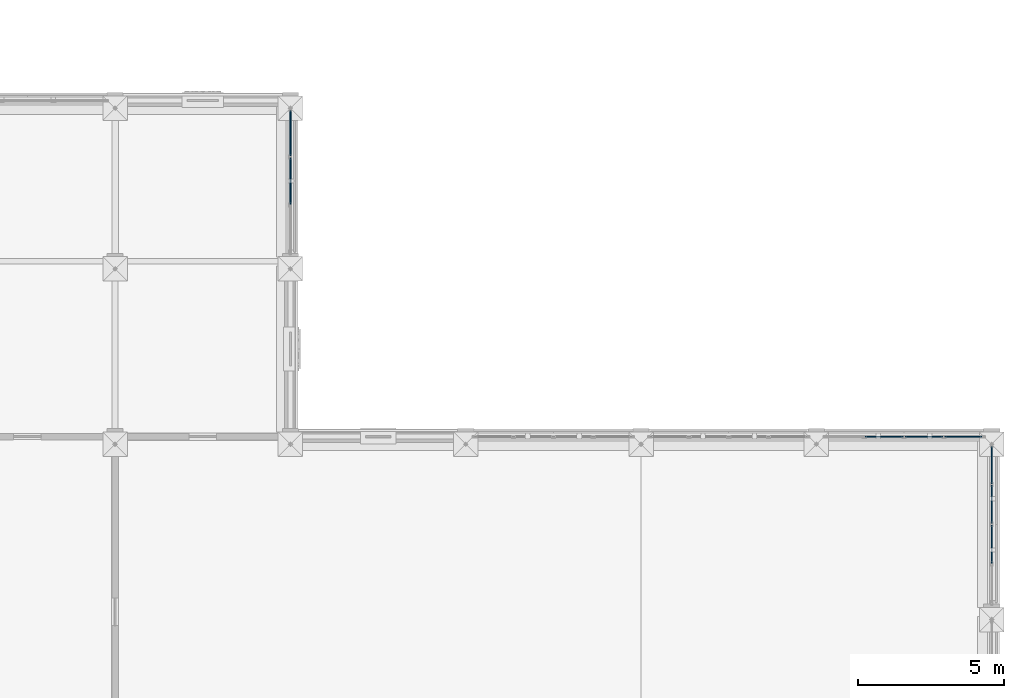
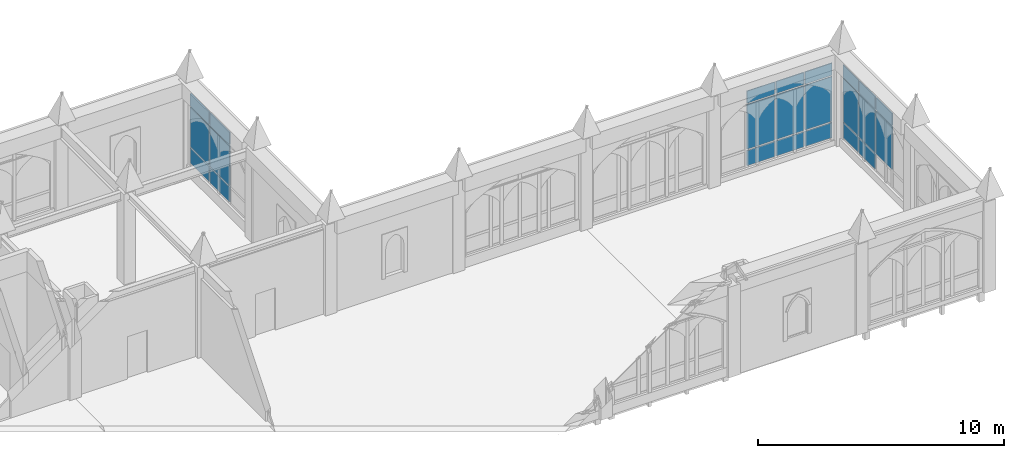
# One storey, part 72 of 108: 23 plates, 3 elements without a shape of their own.
"""IFC4 building model written with IfcOpenShell, lengths in metres."""

import ifcopenshell
import ifcopenshell.guid

model = None  # the IFC model being written
_history = None  # IfcOwnerHistory: only IFC2X3 demands one
_inside = {}  # id of a spatial element -> (the spatial element, [elements in it])
_under = {}  # id of a project, library or spatial element -> (it, [spatial elements below it])
_declared = {}  # id of a project -> (the project, [libraries it declares])
_typed = {}  # id of a type object -> (the type object, [elements of that type])
_made_of = {}  # id of a material, layer set ... -> (it, [elements and type objects made of it])


def new_model(schema):
    """Start an empty IFC model of exactly this schema.

    Asked for "IFC4X3", IfcOpenShell would pick the latest addendum, in which some entities
    have other attributes; the version numbers below select the first issue.
    IFC2X3 requires an IfcOwnerHistory on every rooted entity: one is made here for all.
    """
    global model, _history
    if schema == "IFC4X3":
        model = ifcopenshell.file(schema_version=(4, 3, 0, 0))
    else:
        model = ifcopenshell.file(schema=schema)
    _inside.clear()
    _under.clear()
    _declared.clear()
    _typed.clear()
    _made_of.clear()
    _history = None
    if model.schema == "IFC2X3":
        org = make("IfcOrganization", Name="unknown")
        user = make(
            "IfcPersonAndOrganization",
            ThePerson=make("IfcPerson", FamilyName="unknown"),
            TheOrganization=org,
        )
        app = make(
            "IfcApplication",
            ApplicationDeveloper=org,
            Version="unknown",
            ApplicationFullName="unknown",
            ApplicationIdentifier="unknown",
        )
        _history = make(
            "IfcOwnerHistory",
            OwningUser=user,
            OwningApplication=app,
            ChangeAction="ADDED",
            CreationDate=0,
        )
    return model


def make(cls, **values):
    """One entity of the class cls with the attributes given. An attribute that is None is left unset."""
    return model.create_entity(
        cls, **{name: value for name, value in values.items() if value is not None}
    )


def rooted(cls, **values):
    """An entity with a GlobalId (a new one), such as an element, a storey or a relation."""
    return make(cls, GlobalId=ifcopenshell.guid.new(), OwnerHistory=_history, **values)


def si_unit(unit_type, name, prefix=None):
    """IfcSIUnit, for example si_unit("LENGTHUNIT", "METRE", prefix="MILLI")."""
    return make("IfcSIUnit", UnitType=unit_type, Prefix=prefix, Name=name)


def assignment(units):
    """IfcUnitAssignment: the units of a project."""
    return None if units is None else make("IfcUnitAssignment", Units=units)


def point(xyz):
    """IfcCartesianPoint."""
    return None if xyz is None else make("IfcCartesianPoint", Coordinates=xyz)


def direction(xyz):
    """IfcDirection."""
    return None if xyz is None else make("IfcDirection", DirectionRatios=xyz)


def frame(location, z_axis=None, x_axis=None):
    """IfcAxis2Placement3D, a coordinate frame: its origin and axes. An axis left out is left unset."""
    return make(
        "IfcAxis2Placement3D",
        Location=point(location),
        Axis=direction(z_axis),
        RefDirection=direction(x_axis),
    )


def frame_2d(location, x_axis=None):
    """IfcAxis2Placement2D, a coordinate frame in the plane: its origin and x axis."""
    return make(
        "IfcAxis2Placement2D", Location=point(location), RefDirection=direction(x_axis)
    )


def origin():
    """The frame at (0, 0, 0) with its axes left unset."""
    return frame((0.0, 0.0, 0.0))


def origin_2d():
    """The frame at (0, 0) in the plane with its x axis left unset."""
    return frame_2d((0.0, 0.0))


def place(relative_to, where):
    """IfcLocalPlacement: puts the frame where relative to a parent placement (None: the world)."""
    return make(
        "IfcLocalPlacement", PlacementRelTo=relative_to, RelativePlacement=where
    )


def context(
    kind, dimensions, precision=None, world=None, true_north=None, identifier=None
):
    """IfcGeometricRepresentationContext, for example the 3D "Model" context."""
    return make(
        "IfcGeometricRepresentationContext",
        ContextIdentifier=identifier,
        ContextType=kind,
        CoordinateSpaceDimension=dimensions,
        Precision=precision,
        WorldCoordinateSystem=world,
        TrueNorth=true_north,
    )


def subcontext(parent, identifier, kind, view, scale=None):
    """IfcGeometricRepresentationSubContext, for example "Body" below "Model"."""
    return make(
        "IfcGeometricRepresentationSubContext",
        ContextIdentifier=identifier,
        ContextType=kind,
        ParentContext=parent,
        TargetScale=scale,
        TargetView=view,
    )


def project(units=None, contexts=None):
    """IfcProject with its units and contexts."""
    return rooted(
        "IfcProject",
        Name="project",
        RepresentationContexts=contexts,
        UnitsInContext=assignment(units),
    )


def spatial(cls, under=None, at=None, **own):
    """A site, building, storey or space (cls), placed at a placement, below another one or the project."""
    s = rooted(cls, ObjectPlacement=at, **own)
    if under is not None:
        _under.setdefault(under.id(), (under, []))[1].append(s)
    return s


def profile(cls, at=None, kind="AREA", **sizes):
    """A parametric profile (cls). Its sizes go by their IFC names, for example OverallWidth=200.0."""
    return make(cls, ProfileType=kind, Position=at, **sizes)


def rectangle(**sizes):
    """IfcRectangleProfileDef."""
    return profile("IfcRectangleProfileDef", **sizes)


def extrude(swept, where, along, depth):
    """IfcExtrudedAreaSolid: the profile swept, set in the frame where, extruded along a direction by depth."""
    return make(
        "IfcExtrudedAreaSolid",
        SweptArea=swept,
        Position=where,
        ExtrudedDirection=direction(along),
        Depth=depth,
    )


def shape(context_of_items, identifier, shape_type, items):
    """IfcShapeRepresentation: the items that make up one representation, for example the "Body"."""
    return make(
        "IfcShapeRepresentation",
        ContextOfItems=context_of_items,
        RepresentationIdentifier=identifier,
        RepresentationType=shape_type,
        Items=items,
    )


def material(Name=None, Category=None):
    """IfcMaterial."""
    return make("IfcMaterial", Name=Name, Category=Category)


def layer(
    of_material, thickness, ventilated=None, Name=None, Category=None, Priority=None
):
    """IfcMaterialLayer: one layer of a wall or slab, of a material (None: an air gap)."""
    return make(
        "IfcMaterialLayer",
        Material=of_material,
        LayerThickness=thickness,
        IsVentilated=ventilated,
        Name=Name,
        Category=Category,
        Priority=Priority,
    )


def layer_set(layers, Name=None):
    """IfcMaterialLayerSet."""
    return make("IfcMaterialLayerSet", MaterialLayers=layers, LayerSetName=Name)


def made_of(thing, what):
    """Note that an element or type object is made of a material, layer set ...; save() writes the relation."""
    if what is not None:
        _made_of.setdefault(what.id(), (what, []))[1].append(thing)
    return thing


def type_object(cls, material=None, **own):
    """A type object (cls), such as IfcWallType, which elements share."""
    return made_of(rooted(cls, **own), material)


def element(
    cls,
    number,
    at=None,
    inside=None,
    cuts=None,
    type_object=None,
    material=None,
    context=None,
    identifier="Body",
    shape_type=None,
    held_by="IfcProductDefinitionShape",
    body=None,
    shapes=None,
    **own,
):
    """One element of the class cls, such as IfcWall. Its Tag is "e" and its number.

    at: its placement. inside: the storey or other place that contains it. cuts: it is an
    opening in that element (IfcRelVoidsElement). A single representation is given by context,
    identifier, shape_type and body (its items); several are given by shapes. held_by: the class
    of the entity that holds the representations. save() writes the other relations.
    """
    e = rooted(cls, Tag="e%d" % number, ObjectPlacement=at, **own)
    if body is not None:
        shapes = [shape(context, identifier, shape_type, body)]
    if shapes is not None:
        e.Representation = make(held_by, Representations=shapes)
    if inside is not None:
        _inside.setdefault(inside.id(), (inside, []))[1].append(e)
    if cuts is not None:
        rooted(
            "IfcRelVoidsElement", RelatingBuildingElement=cuts, RelatedOpeningElement=e
        )
    if type_object is not None:
        _typed.setdefault(type_object.id(), (type_object, []))[1].append(e)
    return made_of(e, material)


def aggregate(whole, parts):
    """IfcRelAggregates: a whole, such as a stair, and the parts it consists of."""
    return rooted("IfcRelAggregates", RelatingObject=whole, RelatedObjects=parts)


def save(model, path):
    """Write the relations noted so far, then the file.

    IfcRelAggregates (storeys below a building ...), IfcRelContainedInSpatialStructure (elements
    in a storey), IfcRelDefinesByType, IfcRelAssociatesMaterial and IfcRelDeclares: one each for
    every whole, place, type object, material and project.
    """
    for whole, parts in _under.values():
        aggregate(whole, parts)
    for where, things in _inside.values():
        rooted(
            "IfcRelContainedInSpatialStructure",
            RelatedElements=things,
            RelatingStructure=where,
        )
    for kind, things in _typed.values():
        rooted("IfcRelDefinesByType", RelatedObjects=things, RelatingType=kind)
    for what, things in _made_of.values():
        rooted("IfcRelAssociatesMaterial", RelatedObjects=things, RelatingMaterial=what)
    for by, libraries in _declared.values():
        rooted("IfcRelDeclares", RelatingContext=by, RelatedDefinitions=libraries)
    model.write(path)


model = new_model("IFC4")

# Units and contexts
model_context = context("Model", 3, precision=1e-05, world=origin(), true_north=direction((0.0, 1.0)))
body_context = subcontext(model_context, "Body", "Model", "MODEL_VIEW")
ifc_project = project(units=[si_unit("LENGTHUNIT", "METRE"), si_unit("AREAUNIT", "SQUARE_METRE"), si_unit("VOLUMEUNIT", "CUBIC_METRE"), si_unit("PLANEANGLEUNIT", "RADIAN"), si_unit("MASSUNIT", "GRAM", prefix="KILO")], contexts=[model_context])

# Site, building, storey
site_placement = place(None, origin())
site = spatial("IfcSite", under=ifc_project, at=site_placement, CompositionType="ELEMENT")
building_placement = place(site_placement, origin())
building = spatial("IfcBuilding", under=site, at=building_placement, Name="Cumevento Cable Car Station", CompositionType="ELEMENT")
storey_placement = place(building_placement, frame((0.0, 0.0, 13.5)))
storey = spatial("IfcBuildingStorey", under=building, at=storey_placement, Name="L04", CompositionType="ELEMENT", Elevation=13.5)

# Curtain wall, plates
ifc_material_1 = material(Name="Anodised Bronze Aluminium AW-6063-T6", Category="aluminium")
ifc_layer_1 = layer(ifc_material_1, 0.219970703125)
ifc_layer_set_1 = layer_set([ifc_layer_1], Name="Anodised Bronze Aluminium AW-6063-T6")
curtain_wall_type_1 = type_object("IfcCurtainWallType", Name="Lancet Curtain Wall CW-11 1450", PredefinedType="NOTDEFINED", material=ifc_layer_set_1)
curtain_wall_1_placement = place(storey_placement, origin())
curtain_wall_1 = element("IfcCurtainWall", 1, at=curtain_wall_1_placement, inside=storey, type_object=curtain_wall_type_1, Name="Lancet Curtain Wall CW-11 L04 #186", PredefinedType="NOTDEFINED")
ifc_material_2 = material(Name="Solar Control Laminated Double Glazing", Category="glass")
ifc_layer_2 = layer(ifc_material_2, 0.0380859375)
ifc_layer_set_2 = layer_set([ifc_layer_2], Name="Solar Control Laminated Double Glazing")
plate_type_1 = type_object("IfcPlateType", Name="Glazed Panel CWP-05 38", PredefinedType="CURTAIN_PANEL", material=ifc_layer_set_2)
plate_1_placement = place(storey_placement, frame((162.31884765625, 45.0, 0.324951171875), z_axis=(0.0, 0.0, 1.0), x_axis=(1.0, 0.0, 0.0)))
plate_1 = element("IfcPlate", 2, at=plate_1_placement, type_object=plate_type_1, Name="CW-11 panel 2.1", PredefinedType="CURTAIN_PANEL", context=body_context, shape_type="SweptSolid", body=[
    extrude(rectangle(XDim=1.297607421875, YDim=0.0380859375, at=origin_2d()), origin(), (0.0, 0.0, 1.0), 0.75244140625),
])
plate_2_placement = place(storey_placement, frame((162.31884765625, 45.0, 1.142578125), z_axis=(0.0, 0.0, 1.0), x_axis=(1.0, 0.0, 0.0)))
plate_2 = element("IfcPlate", 3, at=plate_2_placement, type_object=plate_type_1, Name="CW-11 panel 2.2", PredefinedType="CURTAIN_PANEL", context=body_context, shape_type="SweptSolid", body=[
    extrude(rectangle(XDim=1.297607421875, YDim=0.0380859375, at=origin_2d()), origin(), (0.0, 0.0, 1.0), 2.218017578125),
])
plate_3_placement = place(storey_placement, frame((162.31884765625, 45.0, 3.425537109375), z_axis=(0.0, 0.0, 1.0), x_axis=(1.0, 0.0, 0.0)))
plate_3 = element("IfcPlate", 4, at=plate_3_placement, type_object=plate_type_1, Name="CW-11 panel 2.3", PredefinedType="CURTAIN_PANEL", context=body_context, shape_type="SweptSolid", body=[
    extrude(rectangle(XDim=1.297607421875, YDim=0.0380859375, at=origin_2d()), origin(), (0.0, 0.0, 1.0), 0.6025390625),
])
plate_4_placement = place(storey_placement, frame((163.68115234375, 45.0, 0.324951171875), z_axis=(0.0, 0.0, 1.0), x_axis=(1.0, 0.0, 0.0)))
plate_4 = element("IfcPlate", 5, at=plate_4_placement, type_object=plate_type_1, Name="CW-11 panel 3.1", PredefinedType="CURTAIN_PANEL", context=body_context, shape_type="SweptSolid", body=[
    extrude(rectangle(XDim=1.297607421875, YDim=0.0380859375, at=origin_2d()), origin(), (0.0, 0.0, 1.0), 0.75244140625),
])
plate_5_placement = place(storey_placement, frame((163.68115234375, 45.0, 1.142578125), z_axis=(0.0, 0.0, 1.0), x_axis=(1.0, 0.0, 0.0)))
plate_5 = element("IfcPlate", 6, at=plate_5_placement, type_object=plate_type_1, Name="CW-11 panel 3.2", PredefinedType="CURTAIN_PANEL", context=body_context, shape_type="SweptSolid", body=[
    extrude(rectangle(XDim=1.297607421875, YDim=0.0380859375, at=origin_2d()), origin(), (0.0, 0.0, 1.0), 2.218017578125),
])
plate_6_placement = place(storey_placement, frame((163.68115234375, 45.0, 3.425537109375), z_axis=(0.0, 0.0, 1.0), x_axis=(1.0, 0.0, 0.0)))
plate_6 = element("IfcPlate", 7, at=plate_6_placement, type_object=plate_type_1, Name="CW-11 panel 3.3", PredefinedType="CURTAIN_PANEL", context=body_context, shape_type="SweptSolid", body=[
    extrude(rectangle(XDim=1.297607421875, YDim=0.0380859375, at=origin_2d()), origin(), (0.0, 0.0, 1.0), 0.6025390625),
])
plate_7_placement = place(storey_placement, frame((165.027587890625, 45.0, 0.324951171875), z_axis=(0.0, 0.0, 1.0), x_axis=(1.0, 0.0, 0.0)))
plate_7 = element("IfcPlate", 8, at=plate_7_placement, type_object=plate_type_1, Name="CW-11 panel 4.1", PredefinedType="CURTAIN_PANEL", context=body_context, shape_type="SweptSolid", body=[
    extrude(rectangle(XDim=1.264892578125, YDim=0.0380859375, at=origin_2d()), origin(), (0.0, 0.0, 1.0), 0.75244140625),
])
plate_8_placement = place(storey_placement, frame((165.027587890625, 45.0, 1.142578125), z_axis=(0.0, 0.0, 1.0), x_axis=(1.0, 0.0, 0.0)))
plate_8 = element("IfcPlate", 9, at=plate_8_placement, type_object=plate_type_1, Name="CW-11 panel 4.2", PredefinedType="CURTAIN_PANEL", context=body_context, shape_type="SweptSolid", body=[
    extrude(rectangle(XDim=1.264892578125, YDim=0.0380859375, at=origin_2d()), origin(), (0.0, 0.0, 1.0), 2.218017578125),
])
plate_9_placement = place(storey_placement, frame((165.027587890625, 45.0, 3.425537109375), z_axis=(0.0, 0.0, 1.0), x_axis=(1.0, 0.0, 0.0)))
plate_9 = element("IfcPlate", 10, at=plate_9_placement, type_object=plate_type_1, Name="CW-11 panel 4.3", PredefinedType="CURTAIN_PANEL", context=body_context, shape_type="SweptSolid", body=[
    extrude(rectangle(XDim=1.264892578125, YDim=0.0380859375, at=origin_2d()), origin(), (0.0, 0.0, 1.0), 0.6025390625),
])
aggregate(curtain_wall_1, [plate_1, plate_2, plate_3, plate_4, plate_5, plate_6, plate_7, plate_8, plate_9])

ifc_material_3 = material(Name="Anodised Bronze Aluminium AW-6063-T6", Category="aluminium")
ifc_layer_3 = layer(ifc_material_3, 0.23193359375)
ifc_layer_set_3 = layer_set([ifc_layer_3], Name="Anodised Bronze Aluminium AW-6063-T6")
curtain_wall_type_2 = type_object("IfcCurtainWallType", Name="Lancet Curtain Wall CW-13 1530", PredefinedType="NOTDEFINED", material=ifc_layer_set_3)
curtain_wall_2_placement = place(storey_placement, origin())
curtain_wall_2 = element("IfcCurtainWall", 11, at=curtain_wall_2_placement, inside=storey, type_object=curtain_wall_type_2, Name="Lancet Curtain Wall CW-13 L04 #188", PredefinedType="NOTDEFINED")
ifc_material_4 = material(Name="Solar Control Laminated Double Glazing", Category="glass")
ifc_layer_4 = layer(ifc_material_4, 0.0458984375)
ifc_layer_set_4 = layer_set([ifc_layer_4], Name="Solar Control Laminated Double Glazing")
plate_type_2 = type_object("IfcPlateType", Name="Glazed Panel CWP-07 46", PredefinedType="CURTAIN_PANEL", material=ifc_layer_set_4)
plate_10_placement = place(storey_placement, frame((166.0, 44.027587890625, 0.425048828125), z_axis=(0.0, 0.0, 1.0), x_axis=(0.0, -1.0, 0.0)))
plate_10 = element("IfcPlate", 12, at=plate_10_placement, type_object=plate_type_2, Name="CW-13 panel 1.1", PredefinedType="CURTAIN_PANEL", context=body_context, shape_type="SweptSolid", body=[
    extrude(rectangle(XDim=1.264892578125, YDim=0.0458984375, at=origin_2d()), origin(), (0.0, 0.0, 1.0), 0.75244140625),
])
plate_11_placement = place(storey_placement, frame((166.0, 44.027587890625, 1.24267578125), z_axis=(0.0, 0.0, 1.0), x_axis=(0.0, -1.0, 0.0)))
plate_11 = element("IfcPlate", 13, at=plate_11_placement, type_object=plate_type_2, Name="CW-13 panel 1.2", PredefinedType="CURTAIN_PANEL", context=body_context, shape_type="SweptSolid", body=[
    extrude(rectangle(XDim=1.264892578125, YDim=0.0458984375, at=origin_2d()), origin(), (0.0, 0.0, 1.0), 2.117919921875),
])
plate_12_placement = place(storey_placement, frame((166.0, 44.027587890625, 3.425537109375), z_axis=(0.0, 0.0, 1.0), x_axis=(0.0, -1.0, 0.0)))
plate_12 = element("IfcPlate", 14, at=plate_12_placement, type_object=plate_type_2, Name="CW-13 panel 1.3", PredefinedType="CURTAIN_PANEL", context=body_context, shape_type="SweptSolid", body=[
    extrude(rectangle(XDim=1.264892578125, YDim=0.0458984375, at=origin_2d()), origin(), (0.0, 0.0, 1.0), 0.6025390625),
])
plate_13_placement = place(storey_placement, frame((166.0, 42.68115234375, 0.425048828125), z_axis=(0.0, 0.0, 1.0), x_axis=(0.0, -1.0, 0.0)))
plate_13 = element("IfcPlate", 15, at=plate_13_placement, type_object=plate_type_2, Name="CW-13 panel 2.1", PredefinedType="CURTAIN_PANEL", context=body_context, shape_type="SweptSolid", body=[
    extrude(rectangle(XDim=1.297607421875, YDim=0.0458984375, at=origin_2d()), origin(), (0.0, 0.0, 1.0), 0.75244140625),
])
plate_14_placement = place(storey_placement, frame((166.0, 42.68115234375, 1.24267578125), z_axis=(0.0, 0.0, 1.0), x_axis=(0.0, -1.0, 0.0)))
plate_14 = element("IfcPlate", 16, at=plate_14_placement, type_object=plate_type_2, Name="CW-13 panel 2.2", PredefinedType="CURTAIN_PANEL", context=body_context, shape_type="SweptSolid", body=[
    extrude(rectangle(XDim=1.297607421875, YDim=0.0458984375, at=origin_2d()), origin(), (0.0, 0.0, 1.0), 2.117919921875),
])
plate_15_placement = place(storey_placement, frame((166.0, 42.68115234375, 3.425537109375), z_axis=(0.0, 0.0, 1.0), x_axis=(0.0, -1.0, 0.0)))
plate_15 = element("IfcPlate", 17, at=plate_15_placement, type_object=plate_type_2, Name="CW-13 panel 2.3", PredefinedType="CURTAIN_PANEL", context=body_context, shape_type="SweptSolid", body=[
    extrude(rectangle(XDim=1.297607421875, YDim=0.0458984375, at=origin_2d()), origin(), (0.0, 0.0, 1.0), 0.6025390625),
])
plate_16_placement = place(storey_placement, frame((166.0, 41.31884765625, 1.24267578125), z_axis=(0.0, 0.0, 1.0), x_axis=(0.0, -1.0, 0.0)))
plate_16 = element("IfcPlate", 18, at=plate_16_placement, type_object=plate_type_2, Name="CW-13 panel 3.2", PredefinedType="CURTAIN_PANEL", context=body_context, shape_type="SweptSolid", body=[
    extrude(rectangle(XDim=1.297607421875, YDim=0.0458984375, at=origin_2d()), origin(), (0.0, 0.0, 1.0), 2.117919921875),
])
plate_17_placement = place(storey_placement, frame((166.0, 41.31884765625, 3.425537109375), z_axis=(0.0, 0.0, 1.0), x_axis=(0.0, -1.0, 0.0)))
plate_17 = element("IfcPlate", 19, at=plate_17_placement, type_object=plate_type_2, Name="CW-13 panel 3.3", PredefinedType="CURTAIN_PANEL", context=body_context, shape_type="SweptSolid", body=[
    extrude(rectangle(XDim=1.297607421875, YDim=0.0458984375, at=origin_2d()), origin(), (0.0, 0.0, 1.0), 0.6025390625),
])
aggregate(curtain_wall_2, [plate_10, plate_11, plate_12, plate_13, plate_14, plate_15, plate_16, plate_17])

ifc_material_5 = material(Name="Anodised Bronze Aluminium AW-6063-T6", Category="aluminium")
ifc_layer_5 = layer(ifc_material_5, 0.25)
ifc_layer_set_5 = layer_set([ifc_layer_5], Name="Anodised Bronze Aluminium AW-6063-T6")
curtain_wall_type_3 = type_object("IfcCurtainWallType", Name="Lancet Curtain Wall CW-16 1650", PredefinedType="NOTDEFINED", material=ifc_layer_set_5)
curtain_wall_3_placement = place(storey_placement, origin())
curtain_wall_3 = element("IfcCurtainWall", 20, at=curtain_wall_3_placement, inside=storey, type_object=curtain_wall_type_3, Name="Lancet Curtain Wall CW-16 L04 #191", PredefinedType="NOTDEFINED")
ifc_material_6 = material(Name="Insulated Bronze Aluminium Spandrel Panel", Category="aluminium")
ifc_layer_6 = layer(ifc_material_6, 0.06005859375)
ifc_layer_set_6 = layer_set([ifc_layer_6], Name="Insulated Bronze Aluminium Spandrel Panel")
plate_type_3 = type_object("IfcPlateType", Name="Spandrel Panel CWP-10 60", PredefinedType="CURTAIN_PANEL", material=ifc_layer_set_6)
plate_18_placement = place(storey_placement, frame((142.0, 55.3837890625, 0.5849609375), z_axis=(0.0, 0.0, 1.0), x_axis=(0.0, -1.0, 0.0)))
plate_18 = element("IfcPlate", 21, at=plate_18_placement, type_object=plate_type_3, Name="CW-16 panel 1.1", PredefinedType="CURTAIN_PANEL", context=body_context, shape_type="SweptSolid", body=[
    extrude(rectangle(XDim=1.552490234375, YDim=0.06005859375, at=origin_2d()), origin(), (0.0, 0.0, 1.0), 0.75244140625),
])
plate_19_placement = place(storey_placement, frame((142.0, 55.3837890625, 1.402587890625), z_axis=(0.0, 0.0, 1.0), x_axis=(0.0, -1.0, 0.0)))
plate_19 = element("IfcPlate", 22, at=plate_19_placement, type_object=plate_type_3, Name="CW-16 panel 1.2", PredefinedType="CURTAIN_PANEL", context=body_context, shape_type="SweptSolid", body=[
    extrude(rectangle(XDim=1.552490234375, YDim=0.06005859375, at=origin_2d()), origin(), (0.0, 0.0, 1.0), 1.9580078125),
])
plate_20_placement = place(storey_placement, frame((142.0, 55.3837890625, 3.425537109375), z_axis=(0.0, 0.0, 1.0), x_axis=(0.0, -1.0, 0.0)))
plate_20 = element("IfcPlate", 23, at=plate_20_placement, type_object=plate_type_3, Name="CW-16 panel 1.3", PredefinedType="CURTAIN_PANEL", context=body_context, shape_type="SweptSolid", body=[
    extrude(rectangle(XDim=1.552490234375, YDim=0.06005859375, at=origin_2d()), origin(), (0.0, 0.0, 1.0), 0.6025390625),
])
plate_21_placement = place(storey_placement, frame((142.0, 53.75, 0.5849609375), z_axis=(0.0, 0.0, 1.0), x_axis=(0.0, -1.0, 0.0)))
plate_21 = element("IfcPlate", 24, at=plate_21_placement, type_object=plate_type_3, Name="CW-16 panel 2.1", PredefinedType="CURTAIN_PANEL", context=body_context, shape_type="SweptSolid", body=[
    extrude(rectangle(XDim=1.5849609375, YDim=0.06005859375, at=origin_2d()), origin(), (0.0, 0.0, 1.0), 0.75244140625),
])
plate_22_placement = place(storey_placement, frame((142.0, 53.75, 1.402587890625), z_axis=(0.0, 0.0, 1.0), x_axis=(0.0, -1.0, 0.0)))
plate_22 = element("IfcPlate", 25, at=plate_22_placement, type_object=plate_type_3, Name="CW-16 panel 2.2", PredefinedType="CURTAIN_PANEL", context=body_context, shape_type="SweptSolid", body=[
    extrude(rectangle(XDim=1.5849609375, YDim=0.06005859375, at=origin_2d()), origin(), (0.0, 0.0, 1.0), 1.9580078125),
])
plate_23_placement = place(storey_placement, frame((142.0, 53.75, 3.425537109375), z_axis=(0.0, 0.0, 1.0), x_axis=(0.0, -1.0, 0.0)))
plate_23 = element("IfcPlate", 26, at=plate_23_placement, type_object=plate_type_3, Name="CW-16 panel 2.3", PredefinedType="CURTAIN_PANEL", context=body_context, shape_type="SweptSolid", body=[
    extrude(rectangle(XDim=1.5849609375, YDim=0.06005859375, at=origin_2d()), origin(), (0.0, 0.0, 1.0), 0.6025390625),
])
aggregate(curtain_wall_3, [plate_18, plate_19, plate_20, plate_21, plate_22, plate_23])

save(model, "model.ifc")
